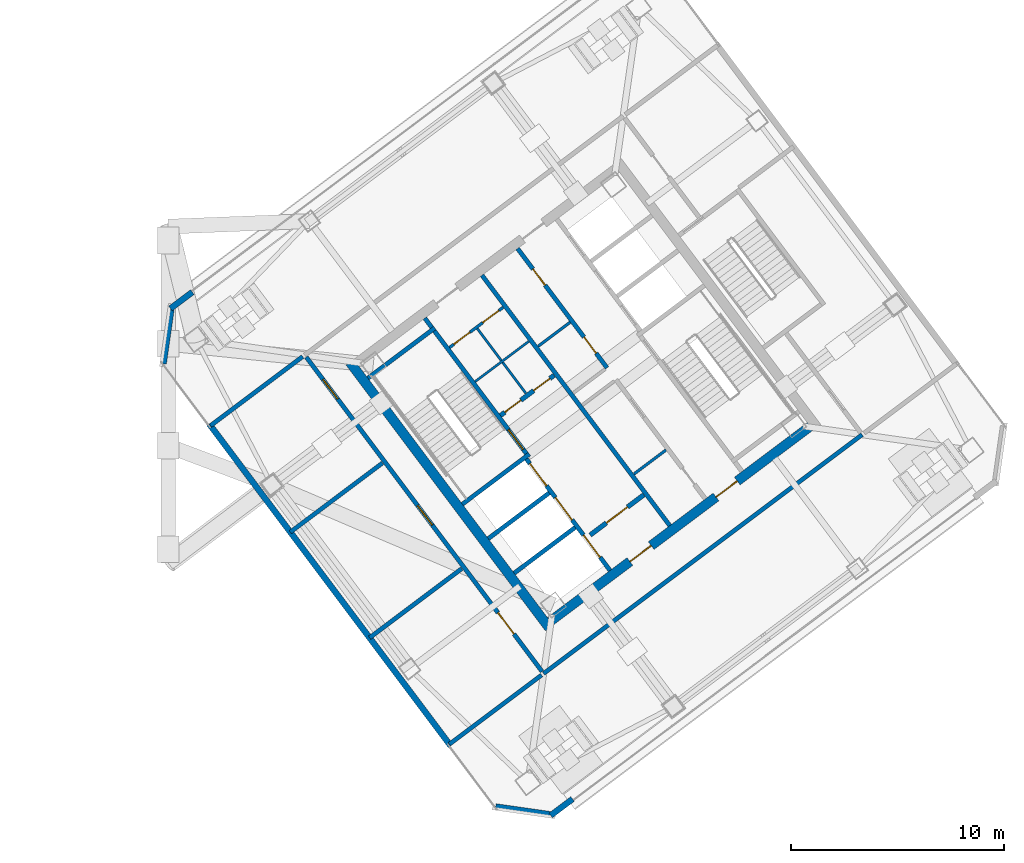
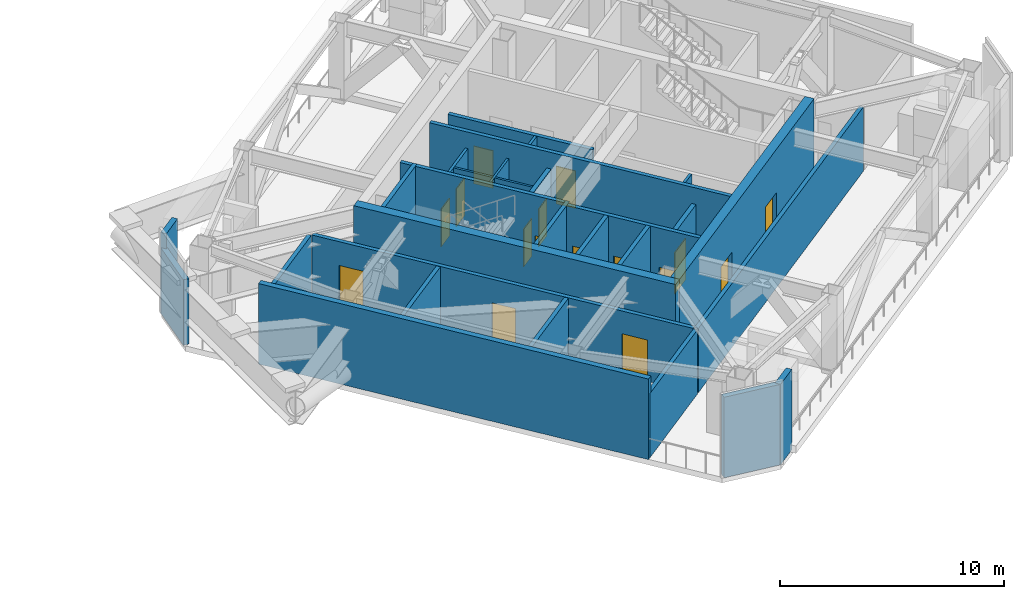
# One storey, part 7 of 15: 28 walls, 16 doors, 16 openings.
"""IFC4 building model written with IfcOpenShell, lengths in metres."""

import ifcopenshell
import ifcopenshell.guid

model = None  # the IFC model being written
_history = None  # IfcOwnerHistory: only IFC2X3 demands one
_inside = {}  # id of a spatial element -> (the spatial element, [elements in it])
_under = {}  # id of a project, library or spatial element -> (it, [spatial elements below it])
_declared = {}  # id of a project -> (the project, [libraries it declares])
_typed = {}  # id of a type object -> (the type object, [elements of that type])
_made_of = {}  # id of a material, layer set ... -> (it, [elements and type objects made of it])


def new_model(schema):
    """Start an empty IFC model of exactly this schema.

    Asked for "IFC4X3", IfcOpenShell would pick the latest addendum, in which some entities
    have other attributes; the version numbers below select the first issue.
    IFC2X3 requires an IfcOwnerHistory on every rooted entity: one is made here for all.
    """
    global model, _history
    if schema == "IFC4X3":
        model = ifcopenshell.file(schema_version=(4, 3, 0, 0))
    else:
        model = ifcopenshell.file(schema=schema)
    _inside.clear()
    _under.clear()
    _declared.clear()
    _typed.clear()
    _made_of.clear()
    _history = None
    if model.schema == "IFC2X3":
        org = make("IfcOrganization", Name="unknown")
        user = make(
            "IfcPersonAndOrganization",
            ThePerson=make("IfcPerson", FamilyName="unknown"),
            TheOrganization=org,
        )
        app = make(
            "IfcApplication",
            ApplicationDeveloper=org,
            Version="unknown",
            ApplicationFullName="unknown",
            ApplicationIdentifier="unknown",
        )
        _history = make(
            "IfcOwnerHistory",
            OwningUser=user,
            OwningApplication=app,
            ChangeAction="ADDED",
            CreationDate=0,
        )
    return model


def make(cls, **values):
    """One entity of the class cls with the attributes given. An attribute that is None is left unset."""
    return model.create_entity(
        cls, **{name: value for name, value in values.items() if value is not None}
    )


def rooted(cls, **values):
    """An entity with a GlobalId (a new one), such as an element, a storey or a relation."""
    return make(cls, GlobalId=ifcopenshell.guid.new(), OwnerHistory=_history, **values)


def si_unit(unit_type, name, prefix=None):
    """IfcSIUnit, for example si_unit("LENGTHUNIT", "METRE", prefix="MILLI")."""
    return make("IfcSIUnit", UnitType=unit_type, Prefix=prefix, Name=name)


def assignment(units):
    """IfcUnitAssignment: the units of a project."""
    return None if units is None else make("IfcUnitAssignment", Units=units)


def point(xyz):
    """IfcCartesianPoint."""
    return None if xyz is None else make("IfcCartesianPoint", Coordinates=xyz)


def direction(xyz):
    """IfcDirection."""
    return None if xyz is None else make("IfcDirection", DirectionRatios=xyz)


def frame(location, z_axis=None, x_axis=None):
    """IfcAxis2Placement3D, a coordinate frame: its origin and axes. An axis left out is left unset."""
    return make(
        "IfcAxis2Placement3D",
        Location=point(location),
        Axis=direction(z_axis),
        RefDirection=direction(x_axis),
    )


def frame_2d(location, x_axis=None):
    """IfcAxis2Placement2D, a coordinate frame in the plane: its origin and x axis."""
    return make(
        "IfcAxis2Placement2D", Location=point(location), RefDirection=direction(x_axis)
    )


def origin():
    """The frame at (0, 0, 0) with its axes left unset."""
    return frame((0.0, 0.0, 0.0))


def place(relative_to, where):
    """IfcLocalPlacement: puts the frame where relative to a parent placement (None: the world)."""
    return make(
        "IfcLocalPlacement", PlacementRelTo=relative_to, RelativePlacement=where
    )


def context(
    kind, dimensions, precision=None, world=None, true_north=None, identifier=None
):
    """IfcGeometricRepresentationContext, for example the 3D "Model" context."""
    return make(
        "IfcGeometricRepresentationContext",
        ContextIdentifier=identifier,
        ContextType=kind,
        CoordinateSpaceDimension=dimensions,
        Precision=precision,
        WorldCoordinateSystem=world,
        TrueNorth=true_north,
    )


def subcontext(parent, identifier, kind, view, scale=None):
    """IfcGeometricRepresentationSubContext, for example "Body" below "Model"."""
    return make(
        "IfcGeometricRepresentationSubContext",
        ContextIdentifier=identifier,
        ContextType=kind,
        ParentContext=parent,
        TargetScale=scale,
        TargetView=view,
    )


def project(units=None, contexts=None):
    """IfcProject with its units and contexts."""
    return rooted(
        "IfcProject",
        Name="project",
        RepresentationContexts=contexts,
        UnitsInContext=assignment(units),
    )


def spatial(cls, under=None, at=None, **own):
    """A site, building, storey or space (cls), placed at a placement, below another one or the project."""
    s = rooted(cls, ObjectPlacement=at, **own)
    if under is not None:
        _under.setdefault(under.id(), (under, []))[1].append(s)
    return s


def profile(cls, at=None, kind="AREA", **sizes):
    """A parametric profile (cls). Its sizes go by their IFC names, for example OverallWidth=200.0."""
    return make(cls, ProfileType=kind, Position=at, **sizes)


def rectangle(**sizes):
    """IfcRectangleProfileDef."""
    return profile("IfcRectangleProfileDef", **sizes)


def extrude(swept, where, along, depth):
    """IfcExtrudedAreaSolid: the profile swept, set in the frame where, extruded along a direction by depth."""
    return make(
        "IfcExtrudedAreaSolid",
        SweptArea=swept,
        Position=where,
        ExtrudedDirection=direction(along),
        Depth=depth,
    )


def shape(context_of_items, identifier, shape_type, items):
    """IfcShapeRepresentation: the items that make up one representation, for example the "Body"."""
    return make(
        "IfcShapeRepresentation",
        ContextOfItems=context_of_items,
        RepresentationIdentifier=identifier,
        RepresentationType=shape_type,
        Items=items,
    )


def material(Name=None, Category=None):
    """IfcMaterial."""
    return make("IfcMaterial", Name=Name, Category=Category)


def layer(
    of_material, thickness, ventilated=None, Name=None, Category=None, Priority=None
):
    """IfcMaterialLayer: one layer of a wall or slab, of a material (None: an air gap)."""
    return make(
        "IfcMaterialLayer",
        Material=of_material,
        LayerThickness=thickness,
        IsVentilated=ventilated,
        Name=Name,
        Category=Category,
        Priority=Priority,
    )


def layer_set(layers, Name=None):
    """IfcMaterialLayerSet."""
    return make("IfcMaterialLayerSet", MaterialLayers=layers, LayerSetName=Name)


def made_of(thing, what):
    """Note that an element or type object is made of a material, layer set ...; save() writes the relation."""
    if what is not None:
        _made_of.setdefault(what.id(), (what, []))[1].append(thing)
    return thing


def type_object(cls, material=None, **own):
    """A type object (cls), such as IfcWallType, which elements share."""
    return made_of(rooted(cls, **own), material)


def element(
    cls,
    number,
    at=None,
    inside=None,
    cuts=None,
    type_object=None,
    material=None,
    context=None,
    identifier="Body",
    shape_type=None,
    held_by="IfcProductDefinitionShape",
    body=None,
    shapes=None,
    **own,
):
    """One element of the class cls, such as IfcWall. Its Tag is "e" and its number.

    at: its placement. inside: the storey or other place that contains it. cuts: it is an
    opening in that element (IfcRelVoidsElement). A single representation is given by context,
    identifier, shape_type and body (its items); several are given by shapes. held_by: the class
    of the entity that holds the representations. save() writes the other relations.
    """
    e = rooted(cls, Tag="e%d" % number, ObjectPlacement=at, **own)
    if body is not None:
        shapes = [shape(context, identifier, shape_type, body)]
    if shapes is not None:
        e.Representation = make(held_by, Representations=shapes)
    if inside is not None:
        _inside.setdefault(inside.id(), (inside, []))[1].append(e)
    if cuts is not None:
        rooted(
            "IfcRelVoidsElement", RelatingBuildingElement=cuts, RelatedOpeningElement=e
        )
    if type_object is not None:
        _typed.setdefault(type_object.id(), (type_object, []))[1].append(e)
    return made_of(e, material)


def fill(opening, filler):
    """IfcRelFillsElement: the door or window that sits in an opening."""
    return rooted(
        "IfcRelFillsElement",
        RelatingOpeningElement=opening,
        RelatedBuildingElement=filler,
    )


def aggregate(whole, parts):
    """IfcRelAggregates: a whole, such as a stair, and the parts it consists of."""
    return rooted("IfcRelAggregates", RelatingObject=whole, RelatedObjects=parts)


def save(model, path):
    """Write the relations noted so far, then the file.

    IfcRelAggregates (storeys below a building ...), IfcRelContainedInSpatialStructure (elements
    in a storey), IfcRelDefinesByType, IfcRelAssociatesMaterial and IfcRelDeclares: one each for
    every whole, place, type object, material and project.
    """
    for whole, parts in _under.values():
        aggregate(whole, parts)
    for where, things in _inside.values():
        rooted(
            "IfcRelContainedInSpatialStructure",
            RelatedElements=things,
            RelatingStructure=where,
        )
    for kind, things in _typed.values():
        rooted("IfcRelDefinesByType", RelatedObjects=things, RelatingType=kind)
    for what, things in _made_of.values():
        rooted("IfcRelAssociatesMaterial", RelatedObjects=things, RelatingMaterial=what)
    for by, libraries in _declared.values():
        rooted("IfcRelDeclares", RelatingContext=by, RelatedDefinitions=libraries)
    model.write(path)


model = new_model("IFC4")

# Units and contexts
model_context = context("Model", 3, precision=1e-05, world=origin(), true_north=direction((0.0, 1.0)))
body_context = subcontext(model_context, "Body", "Model", "MODEL_VIEW")
ifc_project = project(units=[si_unit("LENGTHUNIT", "METRE"), si_unit("AREAUNIT", "SQUARE_METRE"), si_unit("VOLUMEUNIT", "CUBIC_METRE"), si_unit("PLANEANGLEUNIT", "RADIAN"), si_unit("MASSUNIT", "GRAM", prefix="KILO")], contexts=[model_context])

# Site, building, storey
site_placement = place(None, origin())
site = spatial("IfcSite", under=ifc_project, at=site_placement, CompositionType="ELEMENT")
building_placement = place(site_placement, origin())
building = spatial("IfcBuilding", under=site, at=building_placement, Name="Tashvorn Skyway Center", CompositionType="ELEMENT")
storey_placement = place(building_placement, frame((0.0, 0.0, 246.800048828125)))
storey = spatial("IfcBuildingStorey", under=building, at=storey_placement, Name="L67", CompositionType="ELEMENT", Elevation=246.800048828125)

# Wall
ifc_material_1 = material(Name="Concrete C50/60", Category="concrete")
ifc_layer_1 = layer(ifc_material_1, 0.449951171875)
ifc_layer_set_1 = layer_set([ifc_layer_1], Name="Concrete C50/60")
wall_type_1 = type_object("IfcWallType", Name="WALL-CORE-450", PredefinedType="SHEAR", material=ifc_layer_set_1)
wall_1_placement = place(storey_placement, frame((112.39599609375, 21.047119140625, 0.0), z_axis=(0.0, 0.0, 1.0), x_axis=(-0.600005007985, 0.799996243986, 0.0)))
element("IfcWall", 1, at=wall_1_placement, inside=storey, type_object=wall_type_1, Name="Tower 2 L67 West Core Shear Wall", PredefinedType="SHEAR", context=body_context, shape_type="SweptSolid", body=[
    extrude(rectangle(XDim=15.60009765625, YDim=0.449951171875, at=frame_2d((7.800048828125, 0.0))), origin(), (0.0, 0.0, 1.0), 4.599853515625),
])

# Wall, openings, doors
wall_2_placement = place(storey_placement, frame((124.64892578125, 30.51806640625, 0.0), z_axis=(0.0, 0.0, 1.0), x_axis=(-0.8, -0.6, 0.0)))
wall_2 = element("IfcWall", 2, at=wall_2_placement, inside=storey, type_object=wall_type_1, Name="Tower 2 L67 South Core Shear Wall", PredefinedType="SHEAR", context=body_context, shape_type="SweptSolid", body=[
    extrude(rectangle(XDim=15.260009765625, YDim=0.449951171875, at=frame_2d((7.6298828125, 0.0))), origin(), (0.0, 0.0, 1.0), 4.599853515625),
])
opening_1_placement = place(wall_2_placement, frame((9.330078125, 0.0, 0.0)))
opening_1 = element("IfcOpeningElement", 3, at=opening_1_placement, cuts=wall_2, Name="Opening D-FFL-1250", PredefinedType="OPENING", context=body_context, shape_type="SweptSolid", body=[
    extrude(rectangle(XDim=1.25, YDim=2.25, at=frame_2d((0.625, 1.125))), frame((0.0, 0.23486328125, 0.0), z_axis=(0.0, -1.0, 0.0), x_axis=(1.0, 0.0, 0.0)), (0.0, 0.0, 1.0), 0.469970703125),
])
opening_2_placement = place(wall_2_placement, frame((4.280029296875, 0.0, 0.0)))
opening_2 = element("IfcOpeningElement", 4, at=opening_2_placement, cuts=wall_2, Name="Opening D-FFL-1250", PredefinedType="OPENING", context=body_context, shape_type="SweptSolid", body=[
    extrude(rectangle(XDim=1.25, YDim=2.25, at=frame_2d((0.625, 1.125))), frame((0.0, 0.23486328125, 0.0), z_axis=(0.0, -1.0, 0.0), x_axis=(1.0, 0.0, 0.0)), (0.0, 0.0, 1.0), 0.469970703125),
])
ifc_material_2 = material(Name="Hollow galvanized steel fire door assembly", Category="steel")
door_type_1 = type_object("IfcDoorType", Name="DOOR-FFL-1250", OperationType="NOTDEFINED", PredefinedType="DOOR", material=ifc_material_2)
door_1_placement = place(opening_1_placement, origin())
door_1 = element("IfcDoor", 5, at=door_1_placement, inside=storey, type_object=door_type_1, Name="Tower 2 L67 Core South Firefighting Exit Door", OperationType="SINGLE_SWING_LEFT", OverallHeight=2.25, OverallWidth=1.25, PredefinedType="DOOR", context=body_context, shape_type="SweptSolid", body=[
    extrude(rectangle(XDim=1.25, YDim=2.25, at=frame_2d((0.625, 1.125))), frame((0.0, 0.02490234375, 0.0), z_axis=(0.0, -1.0, 0.0), x_axis=(1.0, 0.0, 0.0)), (0.0, 0.0, 1.0), 0.050048828125),
])
fill(opening_1, door_1)
door_2_placement = place(opening_2_placement, origin())
door_2 = element("IfcDoor", 6, at=door_2_placement, inside=storey, type_object=door_type_1, Name="Tower 2 L67 Core South Lift Lobby Door", OperationType="SINGLE_SWING_RIGHT", OverallHeight=2.25, OverallWidth=1.25, PredefinedType="DOOR", context=body_context, shape_type="SweptSolid", body=[
    extrude(rectangle(XDim=1.25, YDim=2.25, at=frame_2d((0.625, 1.125))), frame((0.0, 0.02490234375, 0.0), z_axis=(0.0, -1.0, 0.0), x_axis=(1.0, 0.0, 0.0)), (0.0, 0.0, 1.0), 0.050048828125),
])
fill(opening_2, door_2)

# Walls
ifc_material_3 = material(Name="Precast concrete C40/50", Category="concrete")
ifc_layer_2 = layer(ifc_material_3, 0.280029296875)
ifc_layer_set_2 = layer_set([ifc_layer_2], Name="Precast concrete C40/50")
wall_type_2 = type_object("IfcWallType", Name="WALL-EXT-280", PredefinedType="SOLIDWALL", material=ifc_layer_set_2)
wall_3_placement = place(storey_placement, frame((113.488037109375, 13.01611328125, 0.0), z_axis=(0.0, 0.0, 1.0), x_axis=(-0.799954220606, -0.600061034341, 0.0)))
element("IfcWall", 7, at=wall_3_placement, inside=storey, type_object=wall_type_2, Name="Tower 2 L67 South Spandrel Pier R", PredefinedType="SOLIDWALL", context=body_context, shape_type="SweptSolid", body=[
    extrude(rectangle(XDim=1.280029296875, YDim=0.280029296875, at=frame_2d((0.64013671875, 0.0))), origin(), (0.0, 0.0, 1.0), 4.3798828125),
])
wall_4_placement = place(storey_placement, frame((107.76611328125, 15.511962890625, 0.0), z_axis=(0.0, 0.0, 1.0), x_axis=(-0.6, 0.8, 0.0)))
element("IfcWall", 8, at=wall_4_placement, inside=storey, type_object=wall_type_2, Name="Tower 2 L67 West Plant Wing Wall", PredefinedType="SOLIDWALL", context=body_context, shape_type="SweptSolid", body=[
    extrude(rectangle(XDim=18.900146484375, YDim=0.280029296875, at=frame_2d((9.4501953125, 0.0))), origin(), (0.0, 0.0, 1.0), 4.3798828125),
])
wall_5_placement = place(storey_placement, frame((94.60791015625, 36.055908203125, 0.0), z_axis=(0.0, 0.0, 1.0), x_axis=(0.800022884459, 0.599969486176, 0.0)))
element("IfcWall", 9, at=wall_5_placement, inside=storey, type_object=wall_type_2, Name="Tower 2 L67 North Spandrel Pier L", PredefinedType="SOLIDWALL", context=body_context, shape_type="SweptSolid", body=[
    extrude(rectangle(XDim=1.2802734375, YDim=0.280029296875, at=frame_2d((0.64013671875, 0.0))), origin(), (0.0, 0.0, 1.0), 4.3798828125),
])
wall_6_placement = place(storey_placement, frame((112.5400390625, 12.280029296875, 0.0), z_axis=(0.0, 0.0, 1.0), x_axis=(-0.989956760759, 0.141370477216, 0.0)))
element("IfcWall", 10, at=wall_6_placement, inside=storey, type_object=wall_type_2, Name="Tower 2 L67 SW Precast Chamfer Wall", PredefinedType="SOLIDWALL", context=body_context, shape_type="SweptSolid", body=[
    extrude(rectangle(XDim=2.687255859375, YDim=0.280029296875, at=frame_2d((1.34375, 0.0))), origin(), (0.0, 0.0, 1.0), 4.3798828125),
])
wall_7_placement = place(storey_placement, frame((94.280029296875, 33.4599609375, 0.0), z_axis=(0.0, 0.0, 1.0), x_axis=(0.141370477216, 0.989956760759, 0.0)))
element("IfcWall", 11, at=wall_7_placement, inside=storey, type_object=wall_type_2, Name="Tower 2 L67 NW Precast Chamfer Wall", PredefinedType="SOLIDWALL", context=body_context, shape_type="SweptSolid", body=[
    extrude(rectangle(XDim=2.687255859375, YDim=0.280029296875, at=frame_2d((1.34375, 0.0))), origin(), (0.0, 0.0, 1.0), 3.56005859375),
])

# Wall, openings, doors
ifc_material_4 = material(Name="Concrete C40/50", Category="concrete")
ifc_layer_3 = layer(ifc_material_4, 0.219970703125)
ifc_layer_set_3 = layer_set([ifc_layer_3], Name="Concrete C40/50")
wall_type_3 = type_object("IfcWallType", Name="WALL-FFL-220", PredefinedType="SOLIDWALL", material=ifc_layer_set_3)
wall_8_placement = place(storey_placement, frame((110.10400390625, 31.028076171875, 0.0), z_axis=(0.0, 0.0, 1.0), x_axis=(0.800018601094, 0.59997519774, 0.0)))
wall_8 = element("IfcWall", 12, at=wall_8_placement, inside=storey, type_object=wall_type_3, Name="Tower 2 L67 Firefighting Lobby North Wall", PredefinedType="SOLIDWALL", context=body_context, shape_type="SweptSolid", body=[
    extrude(rectangle(XDim=3.14990234375, YDim=0.219970703125, at=frame_2d((1.574951171875, 0.0))), origin(), (0.0, 0.0, 1.0), 3.490966796875),
])
opening_3_placement = place(wall_8_placement, frame((0.25, 0.0, 0.0)))
opening_3 = element("IfcOpeningElement", 13, at=opening_3_placement, cuts=wall_8, Name="Opening D-RT-950", PredefinedType="OPENING", context=body_context, shape_type="SweptSolid", body=[
    extrude(rectangle(XDim=0.949951171875, YDim=2.050048828125, at=frame_2d((0.47509765625, 1.02490234375))), frame((0.0, 0.119873046875, 0.0), z_axis=(0.0, -1.0, 0.0), x_axis=(1.0, 0.0, 0.0)), (0.0, 0.0, 1.0), 0.239990234375),
])
opening_4_placement = place(wall_8_placement, frame((1.949951171875, 0.0, 0.0)))
opening_4 = element("IfcOpeningElement", 14, at=opening_4_placement, cuts=wall_8, Name="Opening D-RT-950", PredefinedType="OPENING", context=body_context, shape_type="SweptSolid", body=[
    extrude(rectangle(XDim=0.949951171875, YDim=2.050048828125, at=frame_2d((0.47509765625, 1.02490234375))), frame((0.0, 0.119873046875, 0.0), z_axis=(0.0, -1.0, 0.0), x_axis=(1.0, 0.0, 0.0)), (0.0, 0.0, 1.0), 0.239990234375),
])
door_type_2 = type_object("IfcDoorType", Name="DOOR-RATED-950", OperationType="NOTDEFINED", PredefinedType="DOOR", material=ifc_material_2)
door_3_placement = place(opening_3_placement, origin())
door_3 = element("IfcDoor", 15, at=door_3_placement, inside=storey, type_object=door_type_2, Name="Tower 2 L67 Core Mail Room Door", OperationType="SINGLE_SWING_LEFT", OverallHeight=2.050048828125, OverallWidth=0.949951171875, PredefinedType="DOOR", context=body_context, shape_type="SweptSolid", body=[
    extrude(rectangle(XDim=0.949951171875, YDim=2.050048828125, at=frame_2d((0.47509765625, 1.02490234375))), frame((0.0, 0.02490234375, 0.0), z_axis=(0.0, -1.0, 0.0), x_axis=(1.0, 0.0, 0.0)), (0.0, 0.0, 1.0), 0.050048828125),
])
fill(opening_3, door_3)
door_4_placement = place(opening_4_placement, origin())
door_4 = element("IfcDoor", 16, at=door_4_placement, inside=storey, type_object=door_type_2, Name="Tower 2 L67 Core Supply Closet Door", OperationType="SINGLE_SWING_RIGHT", OverallHeight=2.050048828125, OverallWidth=0.949951171875, PredefinedType="DOOR", context=body_context, shape_type="SweptSolid", body=[
    extrude(rectangle(XDim=0.949951171875, YDim=2.050048828125, at=frame_2d((0.47509765625, 1.02490234375))), frame((0.0, 0.02490234375, 0.0), z_axis=(0.0, -1.0, 0.0), x_axis=(1.0, 0.0, 0.0)), (0.0, 0.0, 1.0), 0.050048828125),
])
fill(opening_4, door_4)

# Wall, opening, door
wall_9_placement = place(storey_placement, frame((114.31591796875, 25.412109375, 0.0), z_axis=(0.0, 0.0, 1.0), x_axis=(0.800018601094, 0.59997519774, 0.0)))
wall_9 = element("IfcWall", 17, at=wall_9_placement, inside=storey, type_object=wall_type_3, Name="Tower 2 L67 Firefighting Lobby South Wall", PredefinedType="SOLIDWALL", context=body_context, shape_type="SweptSolid", body=[
    extrude(rectangle(XDim=3.14990234375, YDim=0.219970703125, at=frame_2d((1.574951171875, 0.0))), origin(), (0.0, 0.0, 1.0), 3.490966796875),
])
opening_5_placement = place(wall_9_placement, frame((0.949951171875, 0.0, 0.0)))
opening_5 = element("IfcOpeningElement", 18, at=opening_5_placement, cuts=wall_9, Name="Opening D-FFL-1250", PredefinedType="OPENING", context=body_context, shape_type="SweptSolid", body=[
    extrude(rectangle(XDim=1.25, YDim=2.25, at=frame_2d((0.625, 1.125))), frame((0.0, 0.119873046875, 0.0), z_axis=(0.0, -1.0, 0.0), x_axis=(1.0, 0.0, 0.0)), (0.0, 0.0, 1.0), 0.239990234375),
])
door_5_placement = place(opening_5_placement, origin())
door_5 = element("IfcDoor", 19, at=door_5_placement, inside=storey, type_object=door_type_1, Name="Tower 2 L67 Firefighting Lobby Egress Door", OperationType="SINGLE_SWING_LEFT", OverallHeight=2.25, OverallWidth=1.25, PredefinedType="DOOR", context=body_context, shape_type="SweptSolid", body=[
    extrude(rectangle(XDim=1.25, YDim=2.25, at=frame_2d((0.625, 1.125))), frame((0.0, 0.02490234375, 0.0), z_axis=(0.0, -1.0, 0.0), x_axis=(1.0, 0.0, 0.0)), (0.0, 0.0, 1.0), 0.050048828125),
])
fill(opening_5, door_5)

# Walls
ifc_material_5 = material(Name="Gypsum board on cold-formed steel stud framing", Category="steel")
ifc_layer_4 = layer(ifc_material_5, 0.110107421875)
ifc_layer_set_4 = layer_set([ifc_layer_4], Name="Gypsum board on cold-formed steel stud framing")
wall_type_4 = type_object("IfcWallType", Name="WALL-RATED-110", PredefinedType="PARTITIONING", material=ifc_layer_set_4)
wall_10_placement = place(storey_placement, frame((111.2958984375, 32.072021484375, 0.0), z_axis=(0.0, 0.0, 1.0), x_axis=(-0.59995887973, 0.800030838552, 0.0)))
element("IfcWall", 20, at=wall_10_placement, inside=storey, type_object=wall_type_4, Name="Tower 2 L67 Core Cross Vertical", PredefinedType="PARTITIONING", context=body_context, shape_type="SweptSolid", body=[
    extrude(rectangle(XDim=3.7998046875, YDim=0.110107421875, at=frame_2d((1.89990234375, 0.0))), origin(), (0.0, 0.0, 1.0), 3.490966796875),
])
wall_11_placement = place(storey_placement, frame((108.909912109375, 32.6201171875, 0.0), z_axis=(0.0, 0.0, 1.0), x_axis=(0.800018601094, 0.59997519774, 0.0)))
element("IfcWall", 21, at=wall_11_placement, inside=storey, type_object=wall_type_4, Name="Tower 2 L67 Core Cross Horizontal", PredefinedType="PARTITIONING", context=body_context, shape_type="SweptSolid", body=[
    extrude(rectangle(XDim=3.14990234375, YDim=0.110107421875, at=frame_2d((1.574951171875, 0.0))), origin(), (0.0, 0.0, 1.0), 3.490966796875),
])

# Wall, openings, doors
ifc_layer_5 = layer(ifc_material_5, 0.135009765625)
ifc_layer_set_5 = layer_set([ifc_layer_5], Name="Gypsum board on cold-formed steel stud framing")
wall_type_5 = type_object("IfcWallType", Name="WALL-RATED-135", PredefinedType="PARTITIONING", material=ifc_layer_set_5)
wall_12_placement = place(storey_placement, frame((107.7099609375, 34.219970703125, 0.0), z_axis=(0.0, 0.0, 1.0), x_axis=(0.799981399002, 0.60002480053, 0.0)))
wall_12 = element("IfcWall", 22, at=wall_12_placement, inside=storey, type_object=wall_type_5, Name="Tower 2 L67 Core Service Lobby Wall", PredefinedType="PARTITIONING", context=body_context, shape_type="SweptSolid", body=[
    extrude(rectangle(XDim=3.150146484375, YDim=0.135009765625, at=frame_2d((1.5751953125, 0.0))), origin(), (0.0, 0.0, 1.0), 3.490966796875),
])
opening_6_placement = place(wall_12_placement, frame((0.25, 0.0, 0.0)))
opening_6 = element("IfcOpeningElement", 23, at=opening_6_placement, cuts=wall_12, Name="Opening D-RT-950", PredefinedType="OPENING", context=body_context, shape_type="SweptSolid", body=[
    extrude(rectangle(XDim=0.949951171875, YDim=2.050048828125, at=frame_2d((0.47509765625, 1.02490234375))), frame((0.0, 0.077392578125, 0.0), z_axis=(0.0, -1.0, 0.0), x_axis=(1.0, 0.0, 0.0)), (0.0, 0.0, 1.0), 0.155029296875),
])
opening_7_placement = place(wall_12_placement, frame((1.949951171875, 0.0, 0.0)))
opening_7 = element("IfcOpeningElement", 24, at=opening_7_placement, cuts=wall_12, Name="Opening D-RT-950", PredefinedType="OPENING", context=body_context, shape_type="SweptSolid", body=[
    extrude(rectangle(XDim=0.949951171875, YDim=2.050048828125, at=frame_2d((0.47509765625, 1.02490234375))), frame((0.0, 0.077392578125, 0.0), z_axis=(0.0, -1.0, 0.0), x_axis=(1.0, 0.0, 0.0)), (0.0, 0.0, 1.0), 0.155029296875),
])
door_6_placement = place(opening_6_placement, origin())
door_6 = element("IfcDoor", 25, at=door_6_placement, inside=storey, type_object=door_type_2, Name="Tower 2 L67 Core Cleaner Store Door", OperationType="SINGLE_SWING_LEFT", OverallHeight=2.050048828125, OverallWidth=0.949951171875, PredefinedType="DOOR", context=body_context, shape_type="SweptSolid", body=[
    extrude(rectangle(XDim=0.949951171875, YDim=2.050048828125, at=frame_2d((0.47509765625, 1.02490234375))), frame((0.0, 0.02490234375, 0.0), z_axis=(0.0, -1.0, 0.0), x_axis=(1.0, 0.0, 0.0)), (0.0, 0.0, 1.0), 0.050048828125),
])
fill(opening_6, door_6)
door_7_placement = place(opening_7_placement, origin())
door_7 = element("IfcDoor", 26, at=door_7_placement, inside=storey, type_object=door_type_2, Name="Tower 2 L67 Core Accessible WC Door", OperationType="SINGLE_SWING_RIGHT", OverallHeight=2.050048828125, OverallWidth=0.949951171875, PredefinedType="DOOR", context=body_context, shape_type="SweptSolid", body=[
    extrude(rectangle(XDim=0.949951171875, YDim=2.050048828125, at=frame_2d((0.47509765625, 1.02490234375))), frame((0.0, 0.02490234375, 0.0), z_axis=(0.0, -1.0, 0.0), x_axis=(1.0, 0.0, 0.0)), (0.0, 0.0, 1.0), 0.050048828125),
])
fill(opening_7, door_7)

# Walls
for number, where, z_axis, x_axis, name in (
    (27, (116.3759765625, 28.281982421875, 0.0), (0.0, 0.0, 1.0), (0.8, 0.6, 0.0), "Tower 2 L67 Freed Core Partition"),
    (28, (111.8759765625, 34.281982421875, 0.0), (0.0, 0.0, 1.0), (0.8, 0.6, 0.0), "Tower 2 L67 Freed Mid-Rise Partition"),
):
    element("IfcWall", number, at=place(storey_placement, frame(where, z_axis=z_axis, x_axis=x_axis)), inside=storey, type_object=wall_type_5, Name=name, PredefinedType="PARTITIONING", context=body_context, shape_type="SweptSolid", body=[
        extrude(rectangle(XDim=1.8798828125, YDim=0.135009765625, at=frame_2d((0.93994140625, 0.0))), origin(), (0.0, 0.0, 1.0), 3.490966796875),
    ])
ifc_layer_6 = layer(ifc_material_4, 0.199951171875)
ifc_layer_set_6 = layer_set([ifc_layer_6], Name="Concrete C40/50")
wall_type_6 = type_object("IfcWallType", Name="WALL-SHAFT-200", PredefinedType="SOLIDWALL", material=ifc_layer_set_6)
for number, where, z_axis, x_axis, name in (
    (29, (110.74609375, 23.6220703125, 0.0), (0.0, 0.0, 1.0), (0.800008183455, 0.599989088572, 0.0), "Tower 2 L67 FSAE Shaft Divider"),
    (30, (109.528076171875, 25.24609375, 0.0), (0.0, 0.0, 1.0), (0.800008183455, 0.599989088572, 0.0), "Tower 2 L67 FSAE Shaft Divider"),
):
    element("IfcWall", number, at=place(storey_placement, frame(where, z_axis=z_axis, x_axis=x_axis)), inside=storey, type_object=wall_type_6, Name=name, PredefinedType="SOLIDWALL", context=body_context, shape_type="SweptSolid", body=[
        extrude(rectangle(XDim=3.580078125, YDim=0.199951171875, at=frame_2d((1.7900390625, 0.0))), origin(), (0.0, 0.0, 1.0), 4.3798828125),
    ])

# Wall, openings, doors
wall_13_placement = place(storey_placement, frame((115.110107421875, 33.27001953125, 0.0), z_axis=(0.0, 0.0, 1.0), x_axis=(-0.600011160345, 0.79999162962, 0.0)))
wall_13 = element("IfcWall", 31, at=wall_13_placement, inside=storey, type_object=wall_type_6, Name="Tower 2 L67 Mid-Rise Core Wall", PredefinedType="SOLIDWALL", context=body_context, shape_type="SweptSolid", body=[
    extrude(rectangle(XDim=7.000244140625, YDim=0.199951171875, at=frame_2d((3.5, 0.0))), origin(), (0.0, 0.0, 1.0), 3.490966796875),
])
opening_8_placement = place(wall_13_placement, frame((0.85009765625, 0.0, 0.0)))
opening_8 = element("IfcOpeningElement", 32, at=opening_8_placement, cuts=wall_13, Name="Opening D-RT-950", PredefinedType="OPENING", context=body_context, shape_type="SweptSolid", body=[
    extrude(rectangle(XDim=0.949951171875, YDim=2.050048828125, at=frame_2d((0.47509765625, 1.02490234375))), frame((0.0, 0.10986328125, 0.0), z_axis=(0.0, -1.0, 0.0), x_axis=(1.0, 0.0, 0.0)), (0.0, 0.0, 1.0), 0.219970703125),
])
opening_9_placement = place(wall_13_placement, frame((4.85009765625, 0.0, 0.0)))
opening_9 = element("IfcOpeningElement", 33, at=opening_9_placement, cuts=wall_13, Name="Opening D-RT-950", PredefinedType="OPENING", context=body_context, shape_type="SweptSolid", body=[
    extrude(rectangle(XDim=0.949951171875, YDim=2.050048828125, at=frame_2d((0.47509765625, 1.02490234375))), frame((0.0, 0.10986328125, 0.0), z_axis=(0.0, -1.0, 0.0), x_axis=(1.0, 0.0, 0.0)), (0.0, 0.0, 1.0), 0.219970703125),
])
door_8_placement = place(opening_8_placement, origin())
door_8 = element("IfcDoor", 34, at=door_8_placement, inside=storey, type_object=door_type_2, Name="Tower 2 L67 Core IT Room Door", OperationType="SINGLE_SWING_RIGHT", OverallHeight=2.050048828125, OverallWidth=0.949951171875, PredefinedType="DOOR", context=body_context, shape_type="SweptSolid", body=[
    extrude(rectangle(XDim=0.949951171875, YDim=2.050048828125, at=frame_2d((0.47509765625, 1.02490234375))), frame((0.0, 0.02490234375, 0.0), z_axis=(0.0, -1.0, 0.0), x_axis=(1.0, 0.0, 0.0)), (0.0, 0.0, 1.0), 0.050048828125),
])
fill(opening_8, door_8)
door_9_placement = place(opening_9_placement, origin())
door_9 = element("IfcDoor", 35, at=door_9_placement, inside=storey, type_object=door_type_2, Name="Tower 2 L67 Core Catering Pantry Door", OperationType="SINGLE_SWING_LEFT", OverallHeight=2.050048828125, OverallWidth=0.949951171875, PredefinedType="DOOR", context=body_context, shape_type="SweptSolid", body=[
    extrude(rectangle(XDim=0.949951171875, YDim=2.050048828125, at=frame_2d((0.47509765625, 1.02490234375))), frame((0.0, 0.02490234375, 0.0), z_axis=(0.0, -1.0, 0.0), x_axis=(1.0, 0.0, 0.0)), (0.0, 0.0, 1.0), 0.050048828125),
])
fill(opening_9, door_9)

# Wall
wall_14_placement = place(storey_placement, frame((127.090087890625, 30.1298828125, 0.0), z_axis=(0.0, 0.0, 1.0), x_axis=(-0.800004699972, -0.599993733319, 0.0)))
element("IfcWall", 36, at=wall_14_placement, inside=storey, type_object=wall_type_6, Name="Tower 2 L67 Plant Collar South Wall", PredefinedType="SOLIDWALL", context=body_context, shape_type="SweptSolid", body=[
    extrude(rectangle(XDim=18.7001953125, YDim=0.199951171875, at=frame_2d((9.35009765625, 0.0))), origin(), (0.0, 0.0, 1.0), 3.490966796875),
])

# Wall, openings, doors
wall_15_placement = place(storey_placement, frame((112.05810546875, 19.006103515625, 0.0), z_axis=(0.0, 0.0, 1.0), x_axis=(-0.600010580279, 0.799992064682, 0.0)))
wall_15 = element("IfcWall", 37, at=wall_15_placement, inside=storey, type_object=wall_type_6, Name="Tower 2 L67 Plant Collar West Wall", PredefinedType="SOLIDWALL", context=body_context, shape_type="SweptSolid", body=[
    extrude(rectangle(XDim=18.4599609375, YDim=0.199951171875, at=frame_2d((9.22998046875, 0.0))), origin(), (0.0, 0.0, 1.0), 3.490966796875),
])
opening_10_placement = place(wall_15_placement, frame((2.199951171875, 0.0, 0.0)))
opening_10 = element("IfcOpeningElement", 38, at=opening_10_placement, cuts=wall_15, Name="Opening D-FFL-1250", PredefinedType="OPENING", context=body_context, shape_type="SweptSolid", body=[
    extrude(rectangle(XDim=1.25, YDim=2.25, at=frame_2d((0.625, 1.125))), frame((0.0, 0.10986328125, 0.0), z_axis=(0.0, -1.0, 0.0), x_axis=(1.0, 0.0, 0.0)), (0.0, 0.0, 1.0), 0.219970703125),
])
opening_11_placement = place(wall_15_placement, frame((8.60009765625, 0.0, 0.0)))
opening_11 = element("IfcOpeningElement", 39, at=opening_11_placement, cuts=wall_15, Name="Opening D-ST-1150", PredefinedType="OPENING", context=body_context, shape_type="SweptSolid", body=[
    extrude(rectangle(XDim=1.14990234375, YDim=2.199951171875, at=frame_2d((0.574951171875, 1.10009765625))), frame((0.0, 0.10986328125, 0.0), z_axis=(0.0, -1.0, 0.0), x_axis=(1.0, 0.0, 0.0)), (0.0, 0.0, 1.0), 0.219970703125),
])
opening_12_placement = place(wall_15_placement, frame((16.0, 0.0, 0.0)))
opening_12 = element("IfcOpeningElement", 40, at=opening_12_placement, cuts=wall_15, Name="Opening D-ST-1150", PredefinedType="OPENING", context=body_context, shape_type="SweptSolid", body=[
    extrude(rectangle(XDim=1.14990234375, YDim=2.199951171875, at=frame_2d((0.574951171875, 1.10009765625))), frame((0.0, 0.10986328125, 0.0), z_axis=(0.0, -1.0, 0.0), x_axis=(1.0, 0.0, 0.0)), (0.0, 0.0, 1.0), 0.219970703125),
])
door_10_placement = place(opening_10_placement, origin())
door_10 = element("IfcDoor", 41, at=door_10_placement, inside=storey, type_object=door_type_1, Name="Tower 2 L67 West Refuge Area Door", OperationType="SINGLE_SWING_LEFT", OverallHeight=2.25, OverallWidth=1.25, PredefinedType="DOOR", context=body_context, shape_type="SweptSolid", body=[
    extrude(rectangle(XDim=1.25, YDim=2.25, at=frame_2d((0.625, 1.125))), frame((0.0, 0.02490234375, 0.0), z_axis=(0.0, -1.0, 0.0), x_axis=(1.0, 0.0, 0.0)), (0.0, 0.0, 1.0), 0.050048828125),
])
fill(opening_10, door_10)
door_type_3 = type_object("IfcDoorType", Name="DOOR-STAIR-1150", OperationType="NOTDEFINED", PredefinedType="DOOR", material=ifc_material_2)
door_11_placement = place(opening_11_placement, origin())
door_11 = element("IfcDoor", 42, at=door_11_placement, inside=storey, type_object=door_type_3, Name="Tower 2 L67 Pump Plant Door", OperationType="SINGLE_SWING_RIGHT", OverallHeight=2.199951171875, OverallWidth=1.14990234375, PredefinedType="DOOR", context=body_context, shape_type="SweptSolid", body=[
    extrude(rectangle(XDim=1.14990234375, YDim=2.199951171875, at=frame_2d((0.574951171875, 1.10009765625))), frame((0.0, 0.02490234375, 0.0), z_axis=(0.0, -1.0, 0.0), x_axis=(1.0, 0.0, 0.0)), (0.0, 0.0, 1.0), 0.050048828125),
])
fill(opening_11, door_11)
door_12_placement = place(opening_12_placement, origin())
door_12 = element("IfcDoor", 43, at=door_12_placement, inside=storey, type_object=door_type_3, Name="Tower 2 L67 Turbine Control Plant Door", OperationType="SINGLE_SWING_LEFT", OverallHeight=2.199951171875, OverallWidth=1.14990234375, PredefinedType="DOOR", context=body_context, shape_type="SweptSolid", body=[
    extrude(rectangle(XDim=1.14990234375, YDim=2.199951171875, at=frame_2d((0.574951171875, 1.10009765625))), frame((0.0, 0.02490234375, 0.0), z_axis=(0.0, -1.0, 0.0), x_axis=(1.0, 0.0, 0.0)), (0.0, 0.0, 1.0), 0.050048828125),
])
fill(opening_12, door_12)

# Walls
for number, where, z_axis, x_axis, name in (
    (44, (96.486083984375, 30.552001953125, 0.0), (0.0, 0.0, 1.0), (0.799983753633, 0.600021661212, 0.0), "Tower 2 L67 Plant Wing Wall WN"),
    (45, (107.7060546875, 15.592041015625, 0.0), (0.0, 0.0, 1.0), (0.800005415472, 0.599992779303, 0.0), "Tower 2 L67 Plant Wing Wall WS"),
    (46, (100.236083984375, 25.552001953125, 0.0), (0.0, 0.0, 1.0), (0.799983753633, 0.600021661212, 0.0), "Tower 2 L67 Plant Wing Wall WM1"),
    (47, (103.9560546875, 20.592041015625, 0.0), (0.0, 0.0, 1.0), (0.800005415472, 0.599992779303, 0.0), "Tower 2 L67 Plant Wing Wall WM2"),
):
    element("IfcWall", number, at=place(storey_placement, frame(where, z_axis=z_axis, x_axis=x_axis)), inside=storey, type_object=wall_type_6, Name=name, PredefinedType="SOLIDWALL", context=body_context, shape_type="SweptSolid", body=[
        extrude(rectangle(XDim=5.409912109375, YDim=0.199951171875, at=frame_2d((2.705078125, 0.0))), origin(), (0.0, 0.0, 1.0), 3.490966796875),
    ])

# Wall, opening, door
ifc_layer_7 = layer(ifc_material_4, 0.199951171875)
ifc_layer_set_7 = layer_set([ifc_layer_7], Name="Concrete C40/50")
wall_type_7 = type_object("IfcWallType", Name="WALL-STSHF-200", PredefinedType="SHEAR", material=ifc_layer_set_7)
wall_16_placement = place(storey_placement, frame((111.43994140625, 29.080078125, 0.0), z_axis=(0.0, 0.0, 1.0), x_axis=(-0.59999041401, 0.800007189403, 0.0)))
wall_16 = element("IfcWall", 48, at=wall_16_placement, inside=storey, type_object=wall_type_7, Name="Tower 2 L67 Stair 1 Enclosure Wall", PredefinedType="SHEAR", context=body_context, shape_type="SweptSolid", body=[
    extrude(rectangle(XDim=8.14990234375, YDim=0.199951171875, at=frame_2d((4.074951171875, 0.0))), origin(), (0.0, 0.0, 1.0), 4.3798828125),
])
opening_13_placement = place(wall_16_placement, frame((0.449951171875, 0.0, 0.0)))
opening_13 = element("IfcOpeningElement", 49, at=opening_13_placement, cuts=wall_16, Name="Opening D-ST-1150", PredefinedType="OPENING", context=body_context, shape_type="SweptSolid", body=[
    extrude(rectangle(XDim=1.14990234375, YDim=2.199951171875, at=frame_2d((0.574951171875, 1.10009765625))), frame((0.0, 0.10986328125, 0.0), z_axis=(0.0, -1.0, 0.0), x_axis=(1.0, 0.0, 0.0)), (0.0, 0.0, 1.0), 0.219970703125),
])
door_13_placement = place(opening_13_placement, origin())
door_13 = element("IfcDoor", 50, at=door_13_placement, inside=storey, type_object=door_type_3, Name="Tower 2 L67 Exit Stair 1 Door", OperationType="SINGLE_SWING_RIGHT", OverallHeight=2.199951171875, OverallWidth=1.14990234375, PredefinedType="DOOR", context=body_context, shape_type="SweptSolid", body=[
    extrude(rectangle(XDim=1.14990234375, YDim=2.199951171875, at=frame_2d((0.574951171875, 1.10009765625))), frame((0.0, 0.02490234375, 0.0), z_axis=(0.0, -1.0, 0.0), x_axis=(1.0, 0.0, 0.0)), (0.0, 0.0, 1.0), 0.050048828125),
])
fill(opening_13, door_13)

# Walls
for number, where, z_axis, x_axis, name in (
    (51, (108.31591796875, 26.862060546875, 0.0), (0.0, 0.0, 1.0), (0.800014909178, 0.599980120581, 0.0), "Tower 2 L67 Stair 1 South Wall"),
    (52, (103.8759765625, 32.781982421875, 0.0), (0.0, 0.0, 1.0), (0.800014909178, 0.599980120581, 0.0), "Tower 2 L67 Stair 1 North Wall"),
):
    element("IfcWall", number, at=place(storey_placement, frame(where, z_axis=z_axis, x_axis=x_axis)), inside=storey, type_object=wall_type_7, Name=name, PredefinedType="SHEAR", context=body_context, shape_type="SweptSolid", body=[
        extrude(rectangle(XDim=3.929931640625, YDim=0.199951171875, at=frame_2d((1.96484375, 0.0))), origin(), (0.0, 0.0, 1.0), 4.3798828125),
    ])
wall_17_placement = place(storey_placement, frame((118.05810546875, 25.85595703125, 0.0), z_axis=(0.0, 0.0, 1.0), x_axis=(-0.600002657301, 0.799998007018, 0.0)))
element("IfcWall", 53, at=wall_17_placement, inside=storey, type_object=wall_type_7, Name="Tower 2 L67 Firefighting Lobby East Smoke Barrier", PredefinedType="SHEAR", context=body_context, shape_type="SweptSolid", body=[
    extrude(rectangle(XDim=14.699951171875, YDim=0.199951171875, at=frame_2d((7.35009765625, 0.0))), origin(), (0.0, 0.0, 1.0), 4.3798828125),
])

# Wall, openings, doors
wall_18_placement = place(storey_placement, frame((115.25, 23.75, 0.0), z_axis=(0.0, 0.0, 1.0), x_axis=(-0.599994036198, 0.800004472816, 0.0)))
wall_18 = element("IfcWall", 54, at=wall_18_placement, inside=storey, type_object=wall_type_7, Name="Tower 2 L67 FSAE and Goods Shaft Front Wall", PredefinedType="SHEAR", context=body_context, shape_type="SweptSolid", body=[
    extrude(rectangle(XDim=6.550048828125, YDim=0.199951171875, at=frame_2d((3.27490234375, 0.0))), origin(), (0.0, 0.0, 1.0), 4.3798828125),
])
opening_14_placement = place(wall_18_placement, frame((4.97509765625, 0.0, 0.0)))
opening_14 = element("IfcOpeningElement", 55, at=opening_14_placement, cuts=wall_18, Name="Opening LD-FF-T2-1-L67", PredefinedType="OPENING", context=body_context, shape_type="SweptSolid", body=[
    extrude(rectangle(XDim=1.300048828125, YDim=2.25, at=frame_2d((0.64990234375, 1.125))), frame((0.0, 0.10986328125, 0.0), z_axis=(0.0, -1.0, 0.0), x_axis=(1.0, 0.0, 0.0)), (0.0, 0.0, 1.0), 0.219970703125),
])
opening_15_placement = place(wall_18_placement, frame((2.97509765625, 0.0, 0.0)))
opening_15 = element("IfcOpeningElement", 56, at=opening_15_placement, cuts=wall_18, Name="Opening LD-FF-T2-2-L67", PredefinedType="OPENING", context=body_context, shape_type="SweptSolid", body=[
    extrude(rectangle(XDim=1.300048828125, YDim=2.25, at=frame_2d((0.64990234375, 1.125))), frame((0.0, 0.10986328125, 0.0), z_axis=(0.0, -1.0, 0.0), x_axis=(1.0, 0.0, 0.0)), (0.0, 0.0, 1.0), 0.219970703125),
])
opening_16_placement = place(wall_18_placement, frame((0.77490234375, 0.0, 0.0)))
opening_16 = element("IfcOpeningElement", 57, at=opening_16_placement, cuts=wall_18, Name="Opening LD-GD-T2-1-L67", PredefinedType="OPENING", context=body_context, shape_type="SweptSolid", body=[
    extrude(rectangle(XDim=1.300048828125, YDim=2.25, at=frame_2d((0.64990234375, 1.125))), frame((0.0, 0.10986328125, 0.0), z_axis=(0.0, -1.0, 0.0), x_axis=(1.0, 0.0, 0.0)), (0.0, 0.0, 1.0), 0.219970703125),
])
ifc_material_6 = material(Name="Stainless steel heavy-duty landing door", Category="steel")
door_type_4 = type_object("IfcDoorType", Name="DOOR-LIFT-1300", OperationType="SLIDING_TO_LEFT", PredefinedType="DOOR", material=ifc_material_6)
door_14_placement = place(opening_14_placement, origin())
door_14 = element("IfcDoor", 58, at=door_14_placement, inside=storey, type_object=door_type_4, Name="Lift FF-T2-1 L67 Landing Door", OperationType="SLIDING_TO_LEFT", OverallHeight=2.25, OverallWidth=1.300048828125, PredefinedType="DOOR", context=body_context, shape_type="SweptSolid", body=[
    extrude(rectangle(XDim=1.300048828125, YDim=2.25, at=frame_2d((0.64990234375, 1.125))), frame((0.0, 0.02490234375, 0.0), z_axis=(0.0, -1.0, 0.0), x_axis=(1.0, 0.0, 0.0)), (0.0, 0.0, 1.0), 0.050048828125),
])
fill(opening_14, door_14)
door_15_placement = place(opening_15_placement, origin())
door_15 = element("IfcDoor", 59, at=door_15_placement, inside=storey, type_object=door_type_4, Name="Lift FF-T2-2 L67 Landing Door", OperationType="SLIDING_TO_LEFT", OverallHeight=2.25, OverallWidth=1.300048828125, PredefinedType="DOOR", context=body_context, shape_type="SweptSolid", body=[
    extrude(rectangle(XDim=1.300048828125, YDim=2.25, at=frame_2d((0.64990234375, 1.125))), frame((0.0, 0.02490234375, 0.0), z_axis=(0.0, -1.0, 0.0), x_axis=(1.0, 0.0, 0.0)), (0.0, 0.0, 1.0), 0.050048828125),
])
fill(opening_15, door_15)
door_16_placement = place(opening_16_placement, origin())
door_16 = element("IfcDoor", 60, at=door_16_placement, inside=storey, type_object=door_type_4, Name="Lift GD-T2-1 L67 Landing Door", OperationType="SLIDING_TO_LEFT", OverallHeight=2.25, OverallWidth=1.300048828125, PredefinedType="DOOR", context=body_context, shape_type="SweptSolid", body=[
    extrude(rectangle(XDim=1.300048828125, YDim=2.25, at=frame_2d((0.64990234375, 1.125))), frame((0.0, 0.02490234375, 0.0), z_axis=(0.0, -1.0, 0.0), x_axis=(1.0, 0.0, 0.0)), (0.0, 0.0, 1.0), 0.050048828125),
])
fill(opening_16, door_16)

save(model, "model.ifc")
